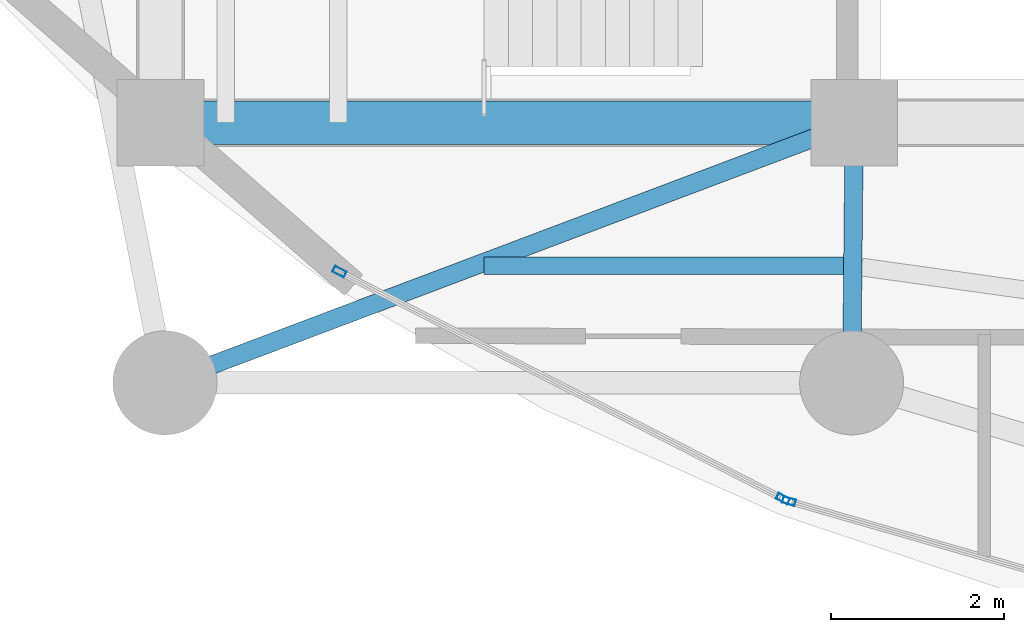
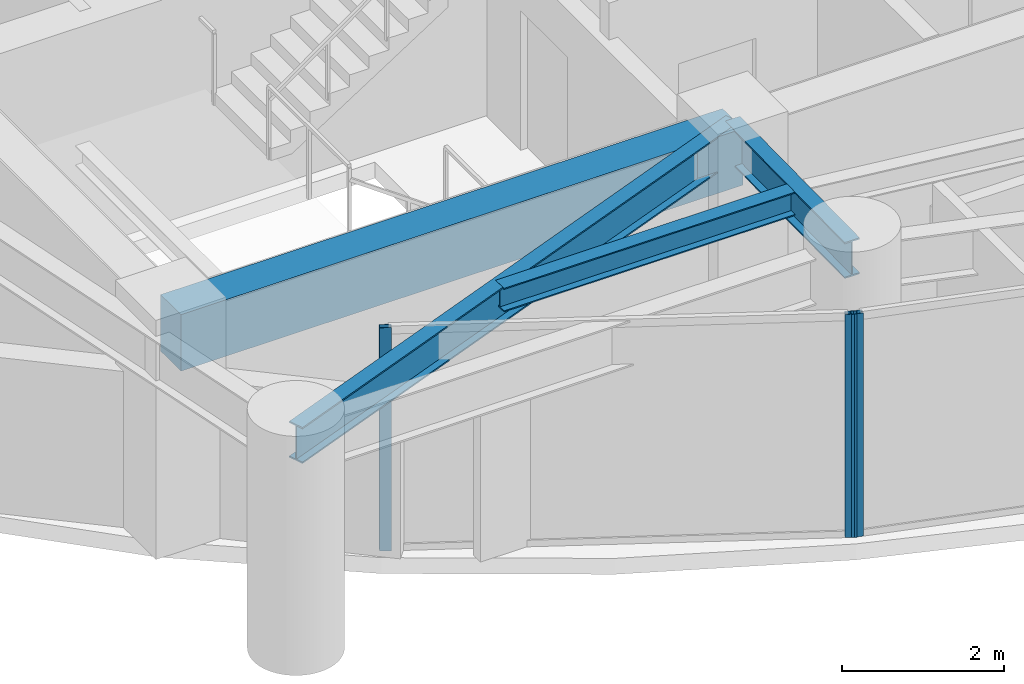
# One storey, part 2 of 28: 4 beams, 3 members, 2 elements without a shape of their own.
"""IFC4 building model written with IfcOpenShell, lengths in metres."""

import ifcopenshell
import ifcopenshell.guid

model = None  # the IFC model being written
_history = None  # IfcOwnerHistory: only IFC2X3 demands one
_inside = {}  # id of a spatial element -> (the spatial element, [elements in it])
_under = {}  # id of a project, library or spatial element -> (it, [spatial elements below it])
_declared = {}  # id of a project -> (the project, [libraries it declares])
_typed = {}  # id of a type object -> (the type object, [elements of that type])
_made_of = {}  # id of a material, layer set ... -> (it, [elements and type objects made of it])


def new_model(schema):
    """Start an empty IFC model of exactly this schema.

    Asked for "IFC4X3", IfcOpenShell would pick the latest addendum, in which some entities
    have other attributes; the version numbers below select the first issue.
    IFC2X3 requires an IfcOwnerHistory on every rooted entity: one is made here for all.
    """
    global model, _history
    if schema == "IFC4X3":
        model = ifcopenshell.file(schema_version=(4, 3, 0, 0))
    else:
        model = ifcopenshell.file(schema=schema)
    _inside.clear()
    _under.clear()
    _declared.clear()
    _typed.clear()
    _made_of.clear()
    _history = None
    if model.schema == "IFC2X3":
        org = make("IfcOrganization", Name="unknown")
        user = make(
            "IfcPersonAndOrganization",
            ThePerson=make("IfcPerson", FamilyName="unknown"),
            TheOrganization=org,
        )
        app = make(
            "IfcApplication",
            ApplicationDeveloper=org,
            Version="unknown",
            ApplicationFullName="unknown",
            ApplicationIdentifier="unknown",
        )
        _history = make(
            "IfcOwnerHistory",
            OwningUser=user,
            OwningApplication=app,
            ChangeAction="ADDED",
            CreationDate=0,
        )
    return model


def make(cls, **values):
    """One entity of the class cls with the attributes given. An attribute that is None is left unset."""
    return model.create_entity(
        cls, **{name: value for name, value in values.items() if value is not None}
    )


def rooted(cls, **values):
    """An entity with a GlobalId (a new one), such as an element, a storey or a relation."""
    return make(cls, GlobalId=ifcopenshell.guid.new(), OwnerHistory=_history, **values)


def si_unit(unit_type, name, prefix=None):
    """IfcSIUnit, for example si_unit("LENGTHUNIT", "METRE", prefix="MILLI")."""
    return make("IfcSIUnit", UnitType=unit_type, Prefix=prefix, Name=name)


def assignment(units):
    """IfcUnitAssignment: the units of a project."""
    return None if units is None else make("IfcUnitAssignment", Units=units)


def point(xyz):
    """IfcCartesianPoint."""
    return None if xyz is None else make("IfcCartesianPoint", Coordinates=xyz)


def direction(xyz):
    """IfcDirection."""
    return None if xyz is None else make("IfcDirection", DirectionRatios=xyz)


def frame(location, z_axis=None, x_axis=None):
    """IfcAxis2Placement3D, a coordinate frame: its origin and axes. An axis left out is left unset."""
    return make(
        "IfcAxis2Placement3D",
        Location=point(location),
        Axis=direction(z_axis),
        RefDirection=direction(x_axis),
    )


def frame_2d(location, x_axis=None):
    """IfcAxis2Placement2D, a coordinate frame in the plane: its origin and x axis."""
    return make(
        "IfcAxis2Placement2D", Location=point(location), RefDirection=direction(x_axis)
    )


def origin():
    """The frame at (0, 0, 0) with its axes left unset."""
    return frame((0.0, 0.0, 0.0))


def origin_2d():
    """The frame at (0, 0) in the plane with its x axis left unset."""
    return frame_2d((0.0, 0.0))


def place(relative_to, where):
    """IfcLocalPlacement: puts the frame where relative to a parent placement (None: the world)."""
    return make(
        "IfcLocalPlacement", PlacementRelTo=relative_to, RelativePlacement=where
    )


def context(
    kind, dimensions, precision=None, world=None, true_north=None, identifier=None
):
    """IfcGeometricRepresentationContext, for example the 3D "Model" context."""
    return make(
        "IfcGeometricRepresentationContext",
        ContextIdentifier=identifier,
        ContextType=kind,
        CoordinateSpaceDimension=dimensions,
        Precision=precision,
        WorldCoordinateSystem=world,
        TrueNorth=true_north,
    )


def subcontext(parent, identifier, kind, view, scale=None):
    """IfcGeometricRepresentationSubContext, for example "Body" below "Model"."""
    return make(
        "IfcGeometricRepresentationSubContext",
        ContextIdentifier=identifier,
        ContextType=kind,
        ParentContext=parent,
        TargetScale=scale,
        TargetView=view,
    )


def project(units=None, contexts=None):
    """IfcProject with its units and contexts."""
    return rooted(
        "IfcProject",
        Name="project",
        RepresentationContexts=contexts,
        UnitsInContext=assignment(units),
    )


def spatial(cls, under=None, at=None, **own):
    """A site, building, storey or space (cls), placed at a placement, below another one or the project."""
    s = rooted(cls, ObjectPlacement=at, **own)
    if under is not None:
        _under.setdefault(under.id(), (under, []))[1].append(s)
    return s


def profile(cls, at=None, kind="AREA", **sizes):
    """A parametric profile (cls). Its sizes go by their IFC names, for example OverallWidth=200.0."""
    return make(cls, ProfileType=kind, Position=at, **sizes)


def rectangle(**sizes):
    """IfcRectangleProfileDef."""
    return profile("IfcRectangleProfileDef", **sizes)


def hollow_rectangle(**sizes):
    """IfcRectangleHollowProfileDef."""
    return profile("IfcRectangleHollowProfileDef", **sizes)


def i_section(**sizes):
    """IfcIShapeProfileDef."""
    return profile("IfcIShapeProfileDef", **sizes)


def extrude(swept, where, along, depth):
    """IfcExtrudedAreaSolid: the profile swept, set in the frame where, extruded along a direction by depth."""
    return make(
        "IfcExtrudedAreaSolid",
        SweptArea=swept,
        Position=where,
        ExtrudedDirection=direction(along),
        Depth=depth,
    )


def shape(context_of_items, identifier, shape_type, items):
    """IfcShapeRepresentation: the items that make up one representation, for example the "Body"."""
    return make(
        "IfcShapeRepresentation",
        ContextOfItems=context_of_items,
        RepresentationIdentifier=identifier,
        RepresentationType=shape_type,
        Items=items,
    )


def material(Name=None, Category=None):
    """IfcMaterial."""
    return make("IfcMaterial", Name=Name, Category=Category)


def layer(
    of_material, thickness, ventilated=None, Name=None, Category=None, Priority=None
):
    """IfcMaterialLayer: one layer of a wall or slab, of a material (None: an air gap)."""
    return make(
        "IfcMaterialLayer",
        Material=of_material,
        LayerThickness=thickness,
        IsVentilated=ventilated,
        Name=Name,
        Category=Category,
        Priority=Priority,
    )


def layer_set(layers, Name=None):
    """IfcMaterialLayerSet."""
    return make("IfcMaterialLayerSet", MaterialLayers=layers, LayerSetName=Name)


def material_profile(
    of_material, cross_section, Name=None, Category=None, Priority=None
):
    """IfcMaterialProfile: a cross section and its material."""
    return make(
        "IfcMaterialProfile",
        Name=Name,
        Material=of_material,
        Profile=cross_section,
        Priority=Priority,
        Category=Category,
    )


def profile_set(profiles, Name=None, composite=None):
    """IfcMaterialProfileSet."""
    return make(
        "IfcMaterialProfileSet",
        Name=Name,
        MaterialProfiles=profiles,
        CompositeProfile=composite,
    )


def made_of(thing, what):
    """Note that an element or type object is made of a material, layer set ...; save() writes the relation."""
    if what is not None:
        _made_of.setdefault(what.id(), (what, []))[1].append(thing)
    return thing


def type_object(cls, material=None, **own):
    """A type object (cls), such as IfcWallType, which elements share."""
    return made_of(rooted(cls, **own), material)


def element(
    cls,
    number,
    at=None,
    inside=None,
    cuts=None,
    type_object=None,
    material=None,
    context=None,
    identifier="Body",
    shape_type=None,
    held_by="IfcProductDefinitionShape",
    body=None,
    shapes=None,
    **own,
):
    """One element of the class cls, such as IfcWall. Its Tag is "e" and its number.

    at: its placement. inside: the storey or other place that contains it. cuts: it is an
    opening in that element (IfcRelVoidsElement). A single representation is given by context,
    identifier, shape_type and body (its items); several are given by shapes. held_by: the class
    of the entity that holds the representations. save() writes the other relations.
    """
    e = rooted(cls, Tag="e%d" % number, ObjectPlacement=at, **own)
    if body is not None:
        shapes = [shape(context, identifier, shape_type, body)]
    if shapes is not None:
        e.Representation = make(held_by, Representations=shapes)
    if inside is not None:
        _inside.setdefault(inside.id(), (inside, []))[1].append(e)
    if cuts is not None:
        rooted(
            "IfcRelVoidsElement", RelatingBuildingElement=cuts, RelatedOpeningElement=e
        )
    if type_object is not None:
        _typed.setdefault(type_object.id(), (type_object, []))[1].append(e)
    return made_of(e, material)


def aggregate(whole, parts):
    """IfcRelAggregates: a whole, such as a stair, and the parts it consists of."""
    return rooted("IfcRelAggregates", RelatingObject=whole, RelatedObjects=parts)


def save(model, path):
    """Write the relations noted so far, then the file.

    IfcRelAggregates (storeys below a building ...), IfcRelContainedInSpatialStructure (elements
    in a storey), IfcRelDefinesByType, IfcRelAssociatesMaterial and IfcRelDeclares: one each for
    every whole, place, type object, material and project.
    """
    for whole, parts in _under.values():
        aggregate(whole, parts)
    for where, things in _inside.values():
        rooted(
            "IfcRelContainedInSpatialStructure",
            RelatedElements=things,
            RelatingStructure=where,
        )
    for kind, things in _typed.values():
        rooted("IfcRelDefinesByType", RelatedObjects=things, RelatingType=kind)
    for what, things in _made_of.values():
        rooted("IfcRelAssociatesMaterial", RelatedObjects=things, RelatingMaterial=what)
    for by, libraries in _declared.values():
        rooted("IfcRelDeclares", RelatingContext=by, RelatedDefinitions=libraries)
    model.write(path)


model = new_model("IFC4")

# Units and contexts
model_context = context("Model", 3, precision=1e-05, world=origin(), true_north=direction((0.0, 1.0)))
body_context = subcontext(model_context, "Body", "Model", "MODEL_VIEW")
ifc_project = project(units=[si_unit("LENGTHUNIT", "METRE"), si_unit("AREAUNIT", "SQUARE_METRE"), si_unit("VOLUMEUNIT", "CUBIC_METRE"), si_unit("PLANEANGLEUNIT", "RADIAN"), si_unit("MASSUNIT", "GRAM", prefix="KILO")], contexts=[model_context])

# Site, building, storey
site_placement = place(None, origin())
site = spatial("IfcSite", under=ifc_project, at=site_placement, CompositionType="ELEMENT")
building_placement = place(site_placement, origin())
building = spatial("IfcBuilding", under=site, at=building_placement, Name="Kazevale Care Tower and Concert Hall", CompositionType="ELEMENT")
storey_placement = place(building_placement, frame((0.0, 0.0, 102.60009765625)))
storey = spatial("IfcBuildingStorey", under=building, at=storey_placement, Name="L26", CompositionType="ELEMENT", Elevation=102.60009765625)

# Curtain wall, member
ifc_material_1 = material(Name="Aluminium 6063-T6 and Low-E Glass", Category="aluminium")
ifc_layer = layer(ifc_material_1, 0.179931640625)
ifc_layer_set = layer_set([ifc_layer], Name="Aluminium 6063-T6 and Low-E Glass")
curtain_wall_type = type_object("IfcCurtainWallType", Name="Sheltered Concave Balcony Curtain Wall CW-5", PredefinedType="NOTDEFINED", material=ifc_layer_set)
curtain_wall_1_placement = place(storey_placement, origin())
curtain_wall_1 = element("IfcCurtainWall", 1, at=curtain_wall_1_placement, inside=storey, type_object=curtain_wall_type, Name="cw:L26:f08", PredefinedType="NOTDEFINED")
ifc_material_2 = material(Name="Aluminium 6063-T6", Category="aluminium")
ifc_material_profile_1 = material_profile(ifc_material_2, hollow_rectangle(XDim=0.074951171875, YDim=0.14990234375, WallThickness=0.00390625, at=origin_2d()), Name="ALU75x150x4")
ifc_profile_set_1 = profile_set([ifc_material_profile_1], Name="Aluminium 6063-T6")
member_type = type_object("IfcMemberType", Name="CW-5 Mullion ALU75x150x4", PredefinedType="MULLION", material=ifc_profile_set_1)
member_1_placement = place(storey_placement, frame((29.2470703125, 19.234619140625, 0.0), z_axis=(0.0, 0.0, 1.0), x_axis=(-0.276290733172, -0.961074102639, 0.0)))
member_1 = element("IfcMember", 2, at=member_1_placement, type_object=member_type, Name="CW-5 mullion 2", PredefinedType="MULLION", context=body_context, shape_type="SweptSolid", body=[
    extrude(hollow_rectangle(XDim=0.074951171875, YDim=0.14990234375, WallThickness=0.00390625, at=origin_2d()), origin(), (0.0, 0.0, 1.0), 3.35986328125),
])
aggregate(curtain_wall_1, [member_1])

# Curtain wall, members
curtain_wall_2_placement = place(storey_placement, origin())
curtain_wall_2 = element("IfcCurtainWall", 3, at=curtain_wall_2_placement, inside=storey, type_object=curtain_wall_type, Name="cw:L26:f09", PredefinedType="NOTDEFINED")
member_2_placement = place(storey_placement, frame((29.177734375, 19.26220703125, 0.0), z_axis=(0.0, 0.0, 1.0), x_axis=(-0.455713236575, -0.890126646051, 0.0)))
member_2 = element("IfcMember", 4, at=member_2_placement, type_object=member_type, Name="CW-5 mullion 1", PredefinedType="MULLION", context=body_context, shape_type="SweptSolid", body=[
    extrude(hollow_rectangle(XDim=0.074951171875, YDim=0.14990234375, WallThickness=0.00390625, at=origin_2d()), origin(), (0.0, 0.0, 1.0), 3.35986328125),
])
member_3_placement = place(storey_placement, frame((24.0625, 21.880859375, 0.0), z_axis=(0.0, 0.0, 1.0), x_axis=(-0.455713236575, -0.890126646051, 0.0)))
member_3 = element("IfcMember", 5, at=member_3_placement, type_object=member_type, Name="CW-5 mullion 2", PredefinedType="MULLION", context=body_context, shape_type="SweptSolid", body=[
    extrude(hollow_rectangle(XDim=0.074951171875, YDim=0.14990234375, WallThickness=0.00390625, at=origin_2d()), origin(), (0.0, 0.0, 1.0), 3.35986328125),
])
aggregate(curtain_wall_2, [member_2, member_3])

# Beams
ifc_material_3 = material(Name="Concrete C60", Category="concrete")
ifc_material_profile_2 = material_profile(ifc_material_3, rectangle(XDim=0.5, YDim=0.85009765625, at=origin_2d()), Name="RC-B500x850")
ifc_profile_set_2 = profile_set([ifc_material_profile_2], Name="Concrete C60")
beam_type_1 = type_object("IfcBeamType", Name="Core Coupling Beam RC500x850", PredefinedType="LINTEL", material=ifc_profile_set_2)
beam_1_placement = place(storey_placement, frame((22.0, 23.60009765625, 2.934814453125), z_axis=(1.0, 0.0, 0.0), x_axis=(0.0, 1.0, 0.0)))
element("IfcBeam", 6, at=beam_1_placement, inside=storey, type_object=beam_type_1, Name="beam:L26:coretie:1", PredefinedType="LINTEL", context=body_context, shape_type="SweptSolid", body=[
    extrude(rectangle(XDim=0.5, YDim=0.85009765625, at=origin_2d()), origin(), (0.0, 0.0, 1.0), 8.0),
])
ifc_material_4 = material(Name="Steel ASTM A572 Gr 50", Category="steel")
ifc_material_profile_3 = material_profile(ifc_material_4, i_section(OverallWidth=0.2119140625, OverallDepth=0.5439453125, WebThickness=0.01318359375, FlangeThickness=0.021240234375, at=origin_2d()), Name="W530x123")
ifc_profile_set_3 = profile_set([ifc_material_profile_3], Name="Steel ASTM A572 Gr 50")
beam_type_2 = type_object("IfcBeamType", Name="Radial Floor Girder W530x123", PredefinedType="BEAM", material=ifc_profile_set_3)
beam_2_placement = place(storey_placement, frame((30.0, 23.60009765625, 3.087890625), z_axis=(-0.935601002663, -0.353059150592, 0.0), x_axis=(0.353059150592, -0.935601002663, 0.0)))
element("IfcBeam", 7, at=beam_2_placement, inside=storey, type_object=beam_type_2, Name="beam:L26:rad:10", PredefinedType="BEAM", context=body_context, shape_type="SweptSolid", body=[
    extrude(i_section(OverallWidth=0.2119140625, OverallDepth=0.5439453125, WebThickness=0.01318359375, FlangeThickness=0.021240234375, at=origin_2d()), origin(), (0.0, 0.0, 1.0), 8.4970703125),
])
beam_3_placement = place(storey_placement, frame((30.0, 23.60009765625, 3.087890625), z_axis=(-0.010009264196, -0.99994990606, 0.0), x_axis=(0.99994990606, -0.010009264196, 0.0)))
element("IfcBeam", 8, at=beam_3_placement, inside=storey, type_object=beam_type_2, Name="beam:L26:rad:11", PredefinedType="BEAM", context=body_context, shape_type="SweptSolid", body=[
    extrude(i_section(OverallWidth=0.2119140625, OverallDepth=0.5439453125, WebThickness=0.01318359375, FlangeThickness=0.021240234375, at=origin_2d()), origin(), (0.0, 0.0, 1.0), 3.000244140625),
])
ifc_material_profile_4 = material_profile(ifc_material_4, i_section(OverallWidth=0.205078125, OverallDepth=0.35400390625, WebThickness=0.009521484375, FlangeThickness=0.016845703125, at=origin_2d()), Name="W360x79")
ifc_profile_set_4 = profile_set([ifc_material_profile_4], Name="Steel ASTM A572 Gr 50")
beam_type_3 = type_object("IfcBeamType", Name="Secondary Floor Joist W360x79", PredefinedType="JOIST", material=ifc_profile_set_4)
beam_4_placement = place(storey_placement, frame((25.73291015625, 21.949951171875, 3.182861328125), z_axis=(1.0, 0.0, 0.0), x_axis=(0.0, 1.0, 0.0)))
element("IfcBeam", 9, at=beam_4_placement, inside=storey, type_object=beam_type_3, Name="beam:L26:joist:10", PredefinedType="JOIST", context=body_context, shape_type="SweptSolid", body=[
    extrude(i_section(OverallWidth=0.205078125, OverallDepth=0.35400390625, WebThickness=0.009521484375, FlangeThickness=0.016845703125, at=origin_2d()), origin(), (0.0, 0.0, 1.0), 4.14501953125),
])

save(model, "model.ifc")
